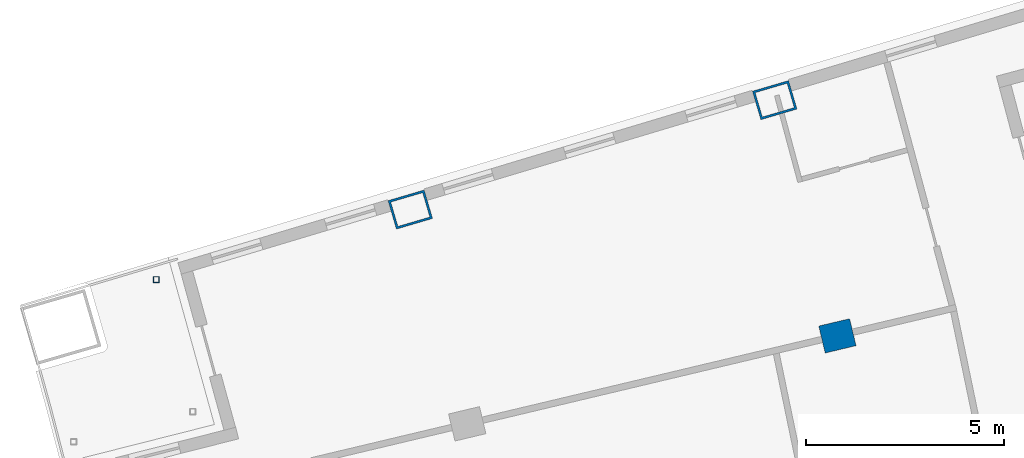
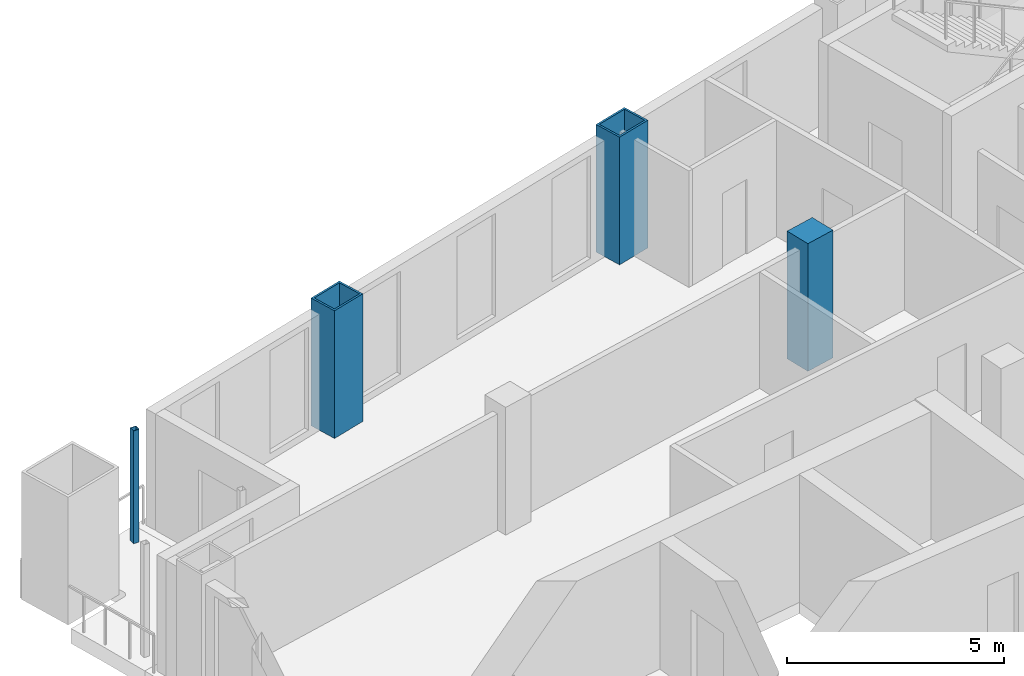
# One storey, part 7 of 17: 4 columns.
"""IFC4 building model written with IfcOpenShell, lengths in metres."""

from ifc_helpers import new_model, si_unit, direction, frame, origin, origin_2d, place, context, subcontext, project, spatial, rectangle, hollow_rectangle, extrude, material, material_profile, profile_set, type_object, element, save


model = new_model("IFC4")

# Units and contexts
model_context = context("Model", 3, precision=1e-05, world=origin(), true_north=direction((0.0, 1.0)))
body_context = subcontext(model_context, "Body", "Model", "MODEL_VIEW")
ifc_project = project(units=[si_unit("LENGTHUNIT", "METRE"), si_unit("AREAUNIT", "SQUARE_METRE"), si_unit("VOLUMEUNIT", "CUBIC_METRE"), si_unit("PLANEANGLEUNIT", "RADIAN"), si_unit("MASSUNIT", "GRAM", prefix="KILO")], contexts=[model_context])

# Site, building, storey
site_placement = place(None, origin())
site = spatial("IfcSite", under=ifc_project, at=site_placement, CompositionType="ELEMENT")
building_placement = place(site_placement, origin())
building = spatial("IfcBuilding", under=site, at=building_placement, Name="Alderwake Tower", CompositionType="ELEMENT")
storey_placement = place(building_placement, frame((0.0, 0.0, 214.39990234375)))
storey = spatial("IfcBuildingStorey", under=building, at=storey_placement, Name="L53", CompositionType="ELEMENT", Elevation=214.39990234375)

# Columns
ifc_material_1 = material(Name="Steel ASTM A572 Grade 50 concrete filled C70/85", Category="concrete")
ifc_material_profile_1 = material_profile(ifc_material_1, hollow_rectangle(XDim=0.75, YDim=0.949951171875, WallThickness=0.054931640625, at=origin_2d()), Name="BOX 950X750X55")
ifc_profile_set_1 = profile_set([ifc_material_profile_1], Name="Steel ASTM A572 Grade 50 concrete filled C70/85")
column_type_1 = type_object("IfcColumnType", Name="End column Z4", PredefinedType="COLUMN", material=ifc_profile_set_1)
for number, where, z_axis, x_axis, name in (
    (1, (21.885498046875, 90.96240234375, 0.0), (0.0, 0.0, 1.0), (-0.282132160283, 0.95937554906, 0.0), "Column R12-C1"),
    (2, (31.080322265625, 93.72314453125, 0.0), (0.0, 0.0, 1.0), (-0.282582549822, 0.959242984095, 0.0), "Column R12-C2"),
):
    element("IfcColumn", number, at=place(storey_placement, frame(where, z_axis=z_axis, x_axis=x_axis)), inside=storey, type_object=column_type_1, Name=name, PredefinedType="COLUMN", context=body_context, shape_type="SweptSolid", body=[
        extrude(hollow_rectangle(XDim=0.75, YDim=0.949951171875, WallThickness=0.054931640625, at=origin_2d()), origin(), (0.0, 0.0, 1.0), 3.60009765625),
    ])
ifc_material_2 = material(Name="Concrete C70/85", Category="concrete")
ifc_material_profile_2 = material_profile(ifc_material_2, rectangle(XDim=0.699951171875, YDim=0.800048828125, at=origin_2d()), Name="RC 800X700")
ifc_profile_set_2 = profile_set([ifc_material_profile_2], Name="Concrete C70/85")
column_type_2 = type_object("IfcColumnType", Name="Interior column Z4", PredefinedType="COLUMN", material=ifc_profile_set_2)
column_1_placement = place(storey_placement, frame((32.661865234375, 87.775390625, 0.0), z_axis=(0.0, 0.0, 1.0), x_axis=(-0.231221547198, 0.972901123502, 0.0)))
element("IfcColumn", 3, at=column_1_placement, inside=storey, type_object=column_type_2, Name="Column R11-C2", PredefinedType="COLUMN", context=body_context, shape_type="SweptSolid", body=[
    extrude(rectangle(XDim=0.699951171875, YDim=0.800048828125, at=origin_2d()), origin(), (0.0, 0.0, 1.0), 3.60009765625),
])
ifc_material_3 = material(Name="Steel ASTM A500 Grade C", Category="steel")
ifc_material_profile_3 = material_profile(ifc_material_3, hollow_rectangle(XDim=0.15234375, YDim=0.15234375, WallThickness=0.0087890625, at=origin_2d()), Name="HSS6X6X3/8")
ifc_profile_set_3 = profile_set([ifc_material_profile_3], Name="Steel ASTM A500 Grade C")
column_type_3 = type_object("IfcColumnType", Name="Light post HSS6X6X3/8", PredefinedType="COLUMN", material=ifc_profile_set_3)
column_2_placement = place(storey_placement, frame((15.47412109375, 89.194091796875, 0.0), z_axis=(0.0, 0.0, 1.0), x_axis=(1.0, 0.0, 0.0)))
element("IfcColumn", 4, at=column_2_placement, inside=storey, type_object=column_type_3, Name="Terrace post RN2", PredefinedType="COLUMN", context=body_context, shape_type="SweptSolid", body=[
    extrude(hollow_rectangle(XDim=0.15234375, YDim=0.15234375, WallThickness=0.0087890625, at=origin_2d()), origin(), (0.0, 0.0, 1.0), 3.18017578125),
])

save(model, "model.ifc")
